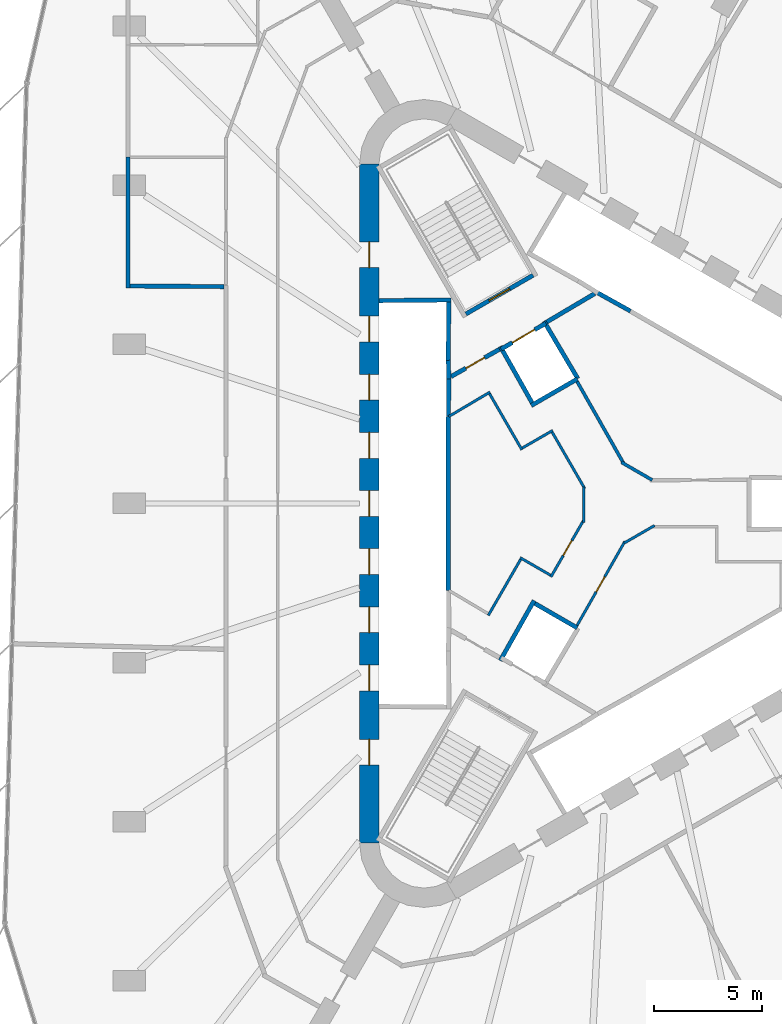
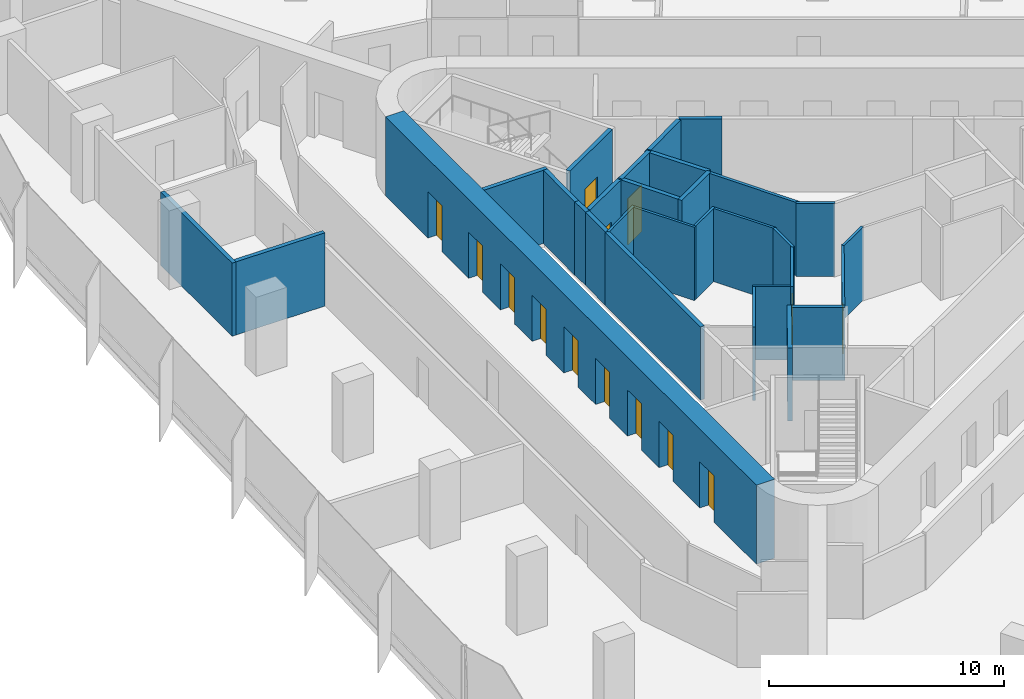
# One storey, part 10 of 14: 30 walls, 14 doors, 14 openings.
"""IFC4 building model written with IfcOpenShell, lengths in metres."""

import ifcopenshell
import ifcopenshell.guid

model = None  # the IFC model being written
_history = None  # IfcOwnerHistory: only IFC2X3 demands one
_inside = {}  # id of a spatial element -> (the spatial element, [elements in it])
_under = {}  # id of a project, library or spatial element -> (it, [spatial elements below it])
_declared = {}  # id of a project -> (the project, [libraries it declares])
_typed = {}  # id of a type object -> (the type object, [elements of that type])
_made_of = {}  # id of a material, layer set ... -> (it, [elements and type objects made of it])


def new_model(schema):
    """Start an empty IFC model of exactly this schema.

    Asked for "IFC4X3", IfcOpenShell would pick the latest addendum, in which some entities
    have other attributes; the version numbers below select the first issue.
    IFC2X3 requires an IfcOwnerHistory on every rooted entity: one is made here for all.
    """
    global model, _history
    if schema == "IFC4X3":
        model = ifcopenshell.file(schema_version=(4, 3, 0, 0))
    else:
        model = ifcopenshell.file(schema=schema)
    _inside.clear()
    _under.clear()
    _declared.clear()
    _typed.clear()
    _made_of.clear()
    _history = None
    if model.schema == "IFC2X3":
        org = make("IfcOrganization", Name="unknown")
        user = make(
            "IfcPersonAndOrganization",
            ThePerson=make("IfcPerson", FamilyName="unknown"),
            TheOrganization=org,
        )
        app = make(
            "IfcApplication",
            ApplicationDeveloper=org,
            Version="unknown",
            ApplicationFullName="unknown",
            ApplicationIdentifier="unknown",
        )
        _history = make(
            "IfcOwnerHistory",
            OwningUser=user,
            OwningApplication=app,
            ChangeAction="ADDED",
            CreationDate=0,
        )
    return model


def make(cls, **values):
    """One entity of the class cls with the attributes given. An attribute that is None is left unset."""
    return model.create_entity(
        cls, **{name: value for name, value in values.items() if value is not None}
    )


def rooted(cls, **values):
    """An entity with a GlobalId (a new one), such as an element, a storey or a relation."""
    return make(cls, GlobalId=ifcopenshell.guid.new(), OwnerHistory=_history, **values)


def si_unit(unit_type, name, prefix=None):
    """IfcSIUnit, for example si_unit("LENGTHUNIT", "METRE", prefix="MILLI")."""
    return make("IfcSIUnit", UnitType=unit_type, Prefix=prefix, Name=name)


def assignment(units):
    """IfcUnitAssignment: the units of a project."""
    return None if units is None else make("IfcUnitAssignment", Units=units)


def point(xyz):
    """IfcCartesianPoint."""
    return None if xyz is None else make("IfcCartesianPoint", Coordinates=xyz)


def direction(xyz):
    """IfcDirection."""
    return None if xyz is None else make("IfcDirection", DirectionRatios=xyz)


def frame(location, z_axis=None, x_axis=None):
    """IfcAxis2Placement3D, a coordinate frame: its origin and axes. An axis left out is left unset."""
    return make(
        "IfcAxis2Placement3D",
        Location=point(location),
        Axis=direction(z_axis),
        RefDirection=direction(x_axis),
    )


def frame_2d(location, x_axis=None):
    """IfcAxis2Placement2D, a coordinate frame in the plane: its origin and x axis."""
    return make(
        "IfcAxis2Placement2D", Location=point(location), RefDirection=direction(x_axis)
    )


def origin():
    """The frame at (0, 0, 0) with its axes left unset."""
    return frame((0.0, 0.0, 0.0))


def place(relative_to, where):
    """IfcLocalPlacement: puts the frame where relative to a parent placement (None: the world)."""
    return make(
        "IfcLocalPlacement", PlacementRelTo=relative_to, RelativePlacement=where
    )


def context(
    kind, dimensions, precision=None, world=None, true_north=None, identifier=None
):
    """IfcGeometricRepresentationContext, for example the 3D "Model" context."""
    return make(
        "IfcGeometricRepresentationContext",
        ContextIdentifier=identifier,
        ContextType=kind,
        CoordinateSpaceDimension=dimensions,
        Precision=precision,
        WorldCoordinateSystem=world,
        TrueNorth=true_north,
    )


def subcontext(parent, identifier, kind, view, scale=None):
    """IfcGeometricRepresentationSubContext, for example "Body" below "Model"."""
    return make(
        "IfcGeometricRepresentationSubContext",
        ContextIdentifier=identifier,
        ContextType=kind,
        ParentContext=parent,
        TargetScale=scale,
        TargetView=view,
    )


def project(units=None, contexts=None):
    """IfcProject with its units and contexts."""
    return rooted(
        "IfcProject",
        Name="project",
        RepresentationContexts=contexts,
        UnitsInContext=assignment(units),
    )


def spatial(cls, under=None, at=None, **own):
    """A site, building, storey or space (cls), placed at a placement, below another one or the project."""
    s = rooted(cls, ObjectPlacement=at, **own)
    if under is not None:
        _under.setdefault(under.id(), (under, []))[1].append(s)
    return s


def profile(cls, at=None, kind="AREA", **sizes):
    """A parametric profile (cls). Its sizes go by their IFC names, for example OverallWidth=200.0."""
    return make(cls, ProfileType=kind, Position=at, **sizes)


def rectangle(**sizes):
    """IfcRectangleProfileDef."""
    return profile("IfcRectangleProfileDef", **sizes)


def extrude(swept, where, along, depth):
    """IfcExtrudedAreaSolid: the profile swept, set in the frame where, extruded along a direction by depth."""
    return make(
        "IfcExtrudedAreaSolid",
        SweptArea=swept,
        Position=where,
        ExtrudedDirection=direction(along),
        Depth=depth,
    )


def shape(context_of_items, identifier, shape_type, items):
    """IfcShapeRepresentation: the items that make up one representation, for example the "Body"."""
    return make(
        "IfcShapeRepresentation",
        ContextOfItems=context_of_items,
        RepresentationIdentifier=identifier,
        RepresentationType=shape_type,
        Items=items,
    )


def material(Name=None, Category=None):
    """IfcMaterial."""
    return make("IfcMaterial", Name=Name, Category=Category)


def layer(
    of_material, thickness, ventilated=None, Name=None, Category=None, Priority=None
):
    """IfcMaterialLayer: one layer of a wall or slab, of a material (None: an air gap)."""
    return make(
        "IfcMaterialLayer",
        Material=of_material,
        LayerThickness=thickness,
        IsVentilated=ventilated,
        Name=Name,
        Category=Category,
        Priority=Priority,
    )


def layer_set(layers, Name=None):
    """IfcMaterialLayerSet."""
    return make("IfcMaterialLayerSet", MaterialLayers=layers, LayerSetName=Name)


def made_of(thing, what):
    """Note that an element or type object is made of a material, layer set ...; save() writes the relation."""
    if what is not None:
        _made_of.setdefault(what.id(), (what, []))[1].append(thing)
    return thing


def type_object(cls, material=None, **own):
    """A type object (cls), such as IfcWallType, which elements share."""
    return made_of(rooted(cls, **own), material)


def element(
    cls,
    number,
    at=None,
    inside=None,
    cuts=None,
    type_object=None,
    material=None,
    context=None,
    identifier="Body",
    shape_type=None,
    held_by="IfcProductDefinitionShape",
    body=None,
    shapes=None,
    **own,
):
    """One element of the class cls, such as IfcWall. Its Tag is "e" and its number.

    at: its placement. inside: the storey or other place that contains it. cuts: it is an
    opening in that element (IfcRelVoidsElement). A single representation is given by context,
    identifier, shape_type and body (its items); several are given by shapes. held_by: the class
    of the entity that holds the representations. save() writes the other relations.
    """
    e = rooted(cls, Tag="e%d" % number, ObjectPlacement=at, **own)
    if body is not None:
        shapes = [shape(context, identifier, shape_type, body)]
    if shapes is not None:
        e.Representation = make(held_by, Representations=shapes)
    if inside is not None:
        _inside.setdefault(inside.id(), (inside, []))[1].append(e)
    if cuts is not None:
        rooted(
            "IfcRelVoidsElement", RelatingBuildingElement=cuts, RelatedOpeningElement=e
        )
    if type_object is not None:
        _typed.setdefault(type_object.id(), (type_object, []))[1].append(e)
    return made_of(e, material)


def fill(opening, filler):
    """IfcRelFillsElement: the door or window that sits in an opening."""
    return rooted(
        "IfcRelFillsElement",
        RelatingOpeningElement=opening,
        RelatedBuildingElement=filler,
    )


def aggregate(whole, parts):
    """IfcRelAggregates: a whole, such as a stair, and the parts it consists of."""
    return rooted("IfcRelAggregates", RelatingObject=whole, RelatedObjects=parts)


def save(model, path):
    """Write the relations noted so far, then the file.

    IfcRelAggregates (storeys below a building ...), IfcRelContainedInSpatialStructure (elements
    in a storey), IfcRelDefinesByType, IfcRelAssociatesMaterial and IfcRelDeclares: one each for
    every whole, place, type object, material and project.
    """
    for whole, parts in _under.values():
        aggregate(whole, parts)
    for where, things in _inside.values():
        rooted(
            "IfcRelContainedInSpatialStructure",
            RelatedElements=things,
            RelatingStructure=where,
        )
    for kind, things in _typed.values():
        rooted("IfcRelDefinesByType", RelatedObjects=things, RelatingType=kind)
    for what, things in _made_of.values():
        rooted("IfcRelAssociatesMaterial", RelatedObjects=things, RelatingMaterial=what)
    for by, libraries in _declared.values():
        rooted("IfcRelDeclares", RelatingContext=by, RelatedDefinitions=libraries)
    model.write(path)


model = new_model("IFC4")

# Units and contexts
model_context = context("Model", 3, precision=1e-05, world=origin(), true_north=direction((0.0, 1.0)))
body_context = subcontext(model_context, "Body", "Model", "MODEL_VIEW")
ifc_project = project(units=[si_unit("LENGTHUNIT", "METRE"), si_unit("AREAUNIT", "SQUARE_METRE"), si_unit("VOLUMEUNIT", "CUBIC_METRE"), si_unit("PLANEANGLEUNIT", "RADIAN"), si_unit("MASSUNIT", "GRAM", prefix="KILO")], contexts=[model_context])

# Site, building, storey
site_placement = place(None, origin())
site = spatial("IfcSite", under=ifc_project, at=site_placement, CompositionType="ELEMENT")
building_placement = place(site_placement, origin())
building = spatial("IfcBuilding", under=site, at=building_placement, Name="Tanit Gate Tower", CompositionType="ELEMENT")
storey_placement = place(building_placement, frame((0.0, 0.0, 123.39990234375)))
storey = spatial("IfcBuildingStorey", under=building, at=storey_placement, Name="L26", CompositionType="ELEMENT", Elevation=123.39990234375)

# Wall, openings, doors
ifc_material_1 = material(Name="Concrete C60/75", Category="concrete")
ifc_layer_1 = layer(ifc_material_1, 0.89990234375)
ifc_layer_set_1 = layer_set([ifc_layer_1], Name="CORE WALL 900 C60/75")
wall_type_1 = type_object("IfcWallType", Name="CORE WALL 900 C60/75", PredefinedType="SHEAR", material=ifc_layer_set_1)
wall_1_placement = place(storey_placement, frame((-11.64990234375, 15.76171875, 0.0), z_axis=(0.0, 0.0, 1.0), x_axis=(0.0, -1.0, 0.0)))
wall_1 = element("IfcWall", 1, at=wall_1_placement, inside=storey, type_object=wall_type_1, Name="CORE WALL", PredefinedType="SHEAR", context=body_context, shape_type="SweptSolid", body=[
    extrude(rectangle(XDim=31.5234375, YDim=0.89990234375, at=frame_2d((15.76171875, 0.0))), origin(), (0.0, 0.0, 1.0), 4.10009765625),
])
opening_1_placement = place(wall_1_placement, frame((7.061767578125, 0.0, 0.0)))
opening_1 = element("IfcOpeningElement", 2, at=opening_1_placement, cuts=wall_1, Name="Opening LDLL1-S06", PredefinedType="OPENING", context=body_context, shape_type="SweptSolid", body=[
    extrude(rectangle(XDim=1.199951171875, YDim=2.39990234375, at=frame_2d((0.60009765625, 1.199951171875))), frame((0.0, 0.4599609375, 0.0), z_axis=(0.0, -1.0, 0.0), x_axis=(1.0, 0.0, 0.0)), (0.0, 0.0, 1.0), 0.919921875),
])
opening_2_placement = place(wall_1_placement, frame((9.76171875, 0.0, 0.0)))
opening_2 = element("IfcOpeningElement", 3, at=opening_2_placement, cuts=wall_1, Name="Opening LDLL2-S06", PredefinedType="OPENING", context=body_context, shape_type="SweptSolid", body=[
    extrude(rectangle(XDim=1.199951171875, YDim=2.39990234375, at=frame_2d((0.60009765625, 1.199951171875))), frame((0.0, 0.4599609375, 0.0), z_axis=(0.0, -1.0, 0.0), x_axis=(1.0, 0.0, 0.0)), (0.0, 0.0, 1.0), 0.919921875),
])
opening_3_placement = place(wall_1_placement, frame((12.461669921875, 0.0, 0.0)))
opening_3 = element("IfcOpeningElement", 4, at=opening_3_placement, cuts=wall_1, Name="Opening LDLL3-S06", PredefinedType="OPENING", context=body_context, shape_type="SweptSolid", body=[
    extrude(rectangle(XDim=1.199951171875, YDim=2.39990234375, at=frame_2d((0.60009765625, 1.199951171875))), frame((0.0, 0.4599609375, 0.0), z_axis=(0.0, -1.0, 0.0), x_axis=(1.0, 0.0, 0.0)), (0.0, 0.0, 1.0), 0.919921875),
])
opening_4_placement = place(wall_1_placement, frame((15.16162109375, 0.0, 0.0)))
opening_4 = element("IfcOpeningElement", 5, at=opening_4_placement, cuts=wall_1, Name="Opening LDLL4-S06", PredefinedType="OPENING", context=body_context, shape_type="SweptSolid", body=[
    extrude(rectangle(XDim=1.199951171875, YDim=2.39990234375, at=frame_2d((0.60009765625, 1.199951171875))), frame((0.0, 0.4599609375, 0.0), z_axis=(0.0, -1.0, 0.0), x_axis=(1.0, 0.0, 0.0)), (0.0, 0.0, 1.0), 0.919921875),
])
opening_5_placement = place(wall_1_placement, frame((17.86181640625, 0.0, 0.0)))
opening_5 = element("IfcOpeningElement", 6, at=opening_5_placement, cuts=wall_1, Name="Opening LDLL5-S06", PredefinedType="OPENING", context=body_context, shape_type="SweptSolid", body=[
    extrude(rectangle(XDim=1.199951171875, YDim=2.39990234375, at=frame_2d((0.60009765625, 1.199951171875))), frame((0.0, 0.4599609375, 0.0), z_axis=(0.0, -1.0, 0.0), x_axis=(1.0, 0.0, 0.0)), (0.0, 0.0, 1.0), 0.919921875),
])
opening_6_placement = place(wall_1_placement, frame((20.561767578125, 0.0, 0.0)))
opening_6 = element("IfcOpeningElement", 7, at=opening_6_placement, cuts=wall_1, Name="Opening LDLL6-S06", PredefinedType="OPENING", context=body_context, shape_type="SweptSolid", body=[
    extrude(rectangle(XDim=1.199951171875, YDim=2.39990234375, at=frame_2d((0.60009765625, 1.199951171875))), frame((0.0, 0.4599609375, 0.0), z_axis=(0.0, -1.0, 0.0), x_axis=(1.0, 0.0, 0.0)), (0.0, 0.0, 1.0), 0.919921875),
])
opening_7_placement = place(wall_1_placement, frame((23.26171875, 0.0, 0.0)))
opening_7 = element("IfcOpeningElement", 8, at=opening_7_placement, cuts=wall_1, Name="Opening LDLL7-S06", PredefinedType="OPENING", context=body_context, shape_type="SweptSolid", body=[
    extrude(rectangle(XDim=1.199951171875, YDim=2.39990234375, at=frame_2d((0.60009765625, 1.199951171875))), frame((0.0, 0.4599609375, 0.0), z_axis=(0.0, -1.0, 0.0), x_axis=(1.0, 0.0, 0.0)), (0.0, 0.0, 1.0), 0.919921875),
])
opening_8_placement = place(wall_1_placement, frame((3.61181640625, 0.0, 0.0)))
opening_8 = element("IfcOpeningElement", 9, at=opening_8_placement, cuts=wall_1, Name="Opening F12-S06-FL2", PredefinedType="OPENING", context=body_context, shape_type="SweptSolid", body=[
    extrude(rectangle(XDim=1.199951171875, YDim=2.39990234375, at=frame_2d((0.60009765625, 1.199951171875))), frame((0.0, 0.4599609375, 0.0), z_axis=(0.0, -1.0, 0.0), x_axis=(1.0, 0.0, 0.0)), (0.0, 0.0, 1.0), 0.919921875),
])
opening_9_placement = place(wall_1_placement, frame((26.711669921875, 0.0, 0.0)))
opening_9 = element("IfcOpeningElement", 10, at=opening_9_placement, cuts=wall_1, Name="Opening F12-S06-S3", PredefinedType="OPENING", context=body_context, shape_type="SweptSolid", body=[
    extrude(rectangle(XDim=1.199951171875, YDim=2.39990234375, at=frame_2d((0.60009765625, 1.199951171875))), frame((0.0, 0.4599609375, 0.0), z_axis=(0.0, -1.0, 0.0), x_axis=(1.0, 0.0, 0.0)), (0.0, 0.0, 1.0), 0.919921875),
])
ifc_material_2 = material(Name="Fire-rated steel door leaf", Category="steel")
door_type_1 = type_object("IfcDoorType", Name="INT-DOOR-FIRE-LOBBY-1200", OperationType="NOTDEFINED", PredefinedType="USERDEFINED", material=ifc_material_2)
door_1_placement = place(opening_8_placement, origin())
door_1 = element("IfcDoor", 11, at=door_1_placement, inside=storey, type_object=door_type_1, Name="Door F12-S06-FL2", ObjectType="FIRE DOOR", OperationType="SINGLE_SWING_LEFT", OverallHeight=2.39990234375, OverallWidth=1.199951171875, PredefinedType="USERDEFINED", context=body_context, shape_type="SweptSolid", body=[
    extrude(rectangle(XDim=1.199951171875, YDim=2.39990234375, at=frame_2d((0.60009765625, 1.199951171875))), frame((0.0, 0.02490234375, 0.0), z_axis=(0.0, -1.0, 0.0), x_axis=(1.0, 0.0, 0.0)), (0.0, 0.0, 1.0), 0.050048828125),
])
fill(opening_8, door_1)
door_2_placement = place(opening_9_placement, origin())
door_2 = element("IfcDoor", 12, at=door_2_placement, inside=storey, type_object=door_type_1, Name="Door F12-S06-S3", ObjectType="FIRE DOOR", OperationType="SINGLE_SWING_RIGHT", OverallHeight=2.39990234375, OverallWidth=1.199951171875, PredefinedType="USERDEFINED", context=body_context, shape_type="SweptSolid", body=[
    extrude(rectangle(XDim=1.199951171875, YDim=2.39990234375, at=frame_2d((0.60009765625, 1.199951171875))), frame((0.0, 0.02490234375, 0.0), z_axis=(0.0, -1.0, 0.0), x_axis=(1.0, 0.0, 0.0)), (0.0, 0.0, 1.0), 0.050048828125),
])
fill(opening_9, door_2)
ifc_material_3 = material(Name="Stainless steel sliding door leaf", Category="steel")
door_type_2 = type_object("IfcDoorType", Name="INT-DOOR-LANDING-1200", OperationType="NOTDEFINED", PredefinedType="USERDEFINED", material=ifc_material_3)
door_3_placement = place(opening_1_placement, origin())
door_3 = element("IfcDoor", 13, at=door_3_placement, inside=storey, type_object=door_type_2, Name="Door LDLL1-S06", ObjectType="LANDING DOOR", OperationType="SLIDING_TO_LEFT", OverallHeight=2.39990234375, OverallWidth=1.199951171875, PredefinedType="USERDEFINED", context=body_context, shape_type="SweptSolid", body=[
    extrude(rectangle(XDim=1.199951171875, YDim=2.39990234375, at=frame_2d((0.60009765625, 1.199951171875))), frame((0.0, 0.02490234375, 0.0), z_axis=(0.0, -1.0, 0.0), x_axis=(1.0, 0.0, 0.0)), (0.0, 0.0, 1.0), 0.050048828125),
])
fill(opening_1, door_3)
door_4_placement = place(opening_2_placement, origin())
door_4 = element("IfcDoor", 14, at=door_4_placement, inside=storey, type_object=door_type_2, Name="Door LDLL2-S06", ObjectType="LANDING DOOR", OperationType="SLIDING_TO_LEFT", OverallHeight=2.39990234375, OverallWidth=1.199951171875, PredefinedType="USERDEFINED", context=body_context, shape_type="SweptSolid", body=[
    extrude(rectangle(XDim=1.199951171875, YDim=2.39990234375, at=frame_2d((0.60009765625, 1.199951171875))), frame((0.0, 0.02490234375, 0.0), z_axis=(0.0, -1.0, 0.0), x_axis=(1.0, 0.0, 0.0)), (0.0, 0.0, 1.0), 0.050048828125),
])
fill(opening_2, door_4)
door_5_placement = place(opening_3_placement, origin())
door_5 = element("IfcDoor", 15, at=door_5_placement, inside=storey, type_object=door_type_2, Name="Door LDLL3-S06", ObjectType="LANDING DOOR", OperationType="SLIDING_TO_LEFT", OverallHeight=2.39990234375, OverallWidth=1.199951171875, PredefinedType="USERDEFINED", context=body_context, shape_type="SweptSolid", body=[
    extrude(rectangle(XDim=1.199951171875, YDim=2.39990234375, at=frame_2d((0.60009765625, 1.199951171875))), frame((0.0, 0.02490234375, 0.0), z_axis=(0.0, -1.0, 0.0), x_axis=(1.0, 0.0, 0.0)), (0.0, 0.0, 1.0), 0.050048828125),
])
fill(opening_3, door_5)
door_6_placement = place(opening_4_placement, origin())
door_6 = element("IfcDoor", 16, at=door_6_placement, inside=storey, type_object=door_type_2, Name="Door LDLL4-S06", ObjectType="LANDING DOOR", OperationType="SLIDING_TO_LEFT", OverallHeight=2.39990234375, OverallWidth=1.199951171875, PredefinedType="USERDEFINED", context=body_context, shape_type="SweptSolid", body=[
    extrude(rectangle(XDim=1.199951171875, YDim=2.39990234375, at=frame_2d((0.60009765625, 1.199951171875))), frame((0.0, 0.02490234375, 0.0), z_axis=(0.0, -1.0, 0.0), x_axis=(1.0, 0.0, 0.0)), (0.0, 0.0, 1.0), 0.050048828125),
])
fill(opening_4, door_6)
door_7_placement = place(opening_5_placement, origin())
door_7 = element("IfcDoor", 17, at=door_7_placement, inside=storey, type_object=door_type_2, Name="Door LDLL5-S06", ObjectType="LANDING DOOR", OperationType="SLIDING_TO_LEFT", OverallHeight=2.39990234375, OverallWidth=1.199951171875, PredefinedType="USERDEFINED", context=body_context, shape_type="SweptSolid", body=[
    extrude(rectangle(XDim=1.199951171875, YDim=2.39990234375, at=frame_2d((0.60009765625, 1.199951171875))), frame((0.0, 0.02490234375, 0.0), z_axis=(0.0, -1.0, 0.0), x_axis=(1.0, 0.0, 0.0)), (0.0, 0.0, 1.0), 0.050048828125),
])
fill(opening_5, door_7)
door_8_placement = place(opening_6_placement, origin())
door_8 = element("IfcDoor", 18, at=door_8_placement, inside=storey, type_object=door_type_2, Name="Door LDLL6-S06", ObjectType="LANDING DOOR", OperationType="SLIDING_TO_LEFT", OverallHeight=2.39990234375, OverallWidth=1.199951171875, PredefinedType="USERDEFINED", context=body_context, shape_type="SweptSolid", body=[
    extrude(rectangle(XDim=1.199951171875, YDim=2.39990234375, at=frame_2d((0.60009765625, 1.199951171875))), frame((0.0, 0.02490234375, 0.0), z_axis=(0.0, -1.0, 0.0), x_axis=(1.0, 0.0, 0.0)), (0.0, 0.0, 1.0), 0.050048828125),
])
fill(opening_6, door_8)
door_9_placement = place(opening_7_placement, origin())
door_9 = element("IfcDoor", 19, at=door_9_placement, inside=storey, type_object=door_type_2, Name="Door LDLL7-S06", ObjectType="LANDING DOOR", OperationType="SLIDING_TO_LEFT", OverallHeight=2.39990234375, OverallWidth=1.199951171875, PredefinedType="USERDEFINED", context=body_context, shape_type="SweptSolid", body=[
    extrude(rectangle(XDim=1.199951171875, YDim=2.39990234375, at=frame_2d((0.60009765625, 1.199951171875))), frame((0.0, 0.02490234375, 0.0), z_axis=(0.0, -1.0, 0.0), x_axis=(1.0, 0.0, 0.0)), (0.0, 0.0, 1.0), 0.050048828125),
])
fill(opening_7, door_9)

# Wall
ifc_material_4 = material(Name="Fire-rated gypsum board partition")
ifc_layer_2 = layer(ifc_material_4, 0.199951171875)
ifc_layer_set_2 = layer_set([ifc_layer_2], Name="INT-WALL-COMPARTMENT")
wall_type_2 = type_object("IfcWallType", Name="INT-WALL-COMPARTMENT", PredefinedType="PARTITIONING", material=ifc_layer_set_2)
wall_2_placement = place(storey_placement, frame((-1.1796875, 9.744384765625, 0.0), z_axis=(0.0, 0.0, 1.0), x_axis=(-0.860615607571, -0.509255118781, 0.0)))
element("IfcWall", 20, at=wall_2_placement, inside=storey, type_object=wall_type_2, Name="Wall Compartment W061", PredefinedType="PARTITIONING", context=body_context, shape_type="SweptSolid", body=[
    extrude(rectangle(XDim=2.58056640625, YDim=0.199951171875, at=frame_2d((1.290283203125, 0.0))), origin(), (0.0, 0.0, 1.0), 3.800048828125),
])

# Wall, opening, door
wall_3_placement = place(storey_placement, frame((-5.600341796875, 7.16015625, 0.0), z_axis=(0.0, 0.0, 1.0), x_axis=(-0.871363259478, -0.490638431059, 0.0)))
wall_3 = element("IfcWall", 21, at=wall_3_placement, inside=storey, type_object=wall_type_2, Name="Wall Compartment W062", PredefinedType="PARTITIONING", context=body_context, shape_type="SweptSolid", body=[
    extrude(rectangle(XDim=2.5810546875, YDim=0.199951171875, at=frame_2d((1.29052734375, 0.0))), origin(), (0.0, 0.0, 1.0), 3.800048828125),
])
opening_10_placement = place(wall_3_placement, frame((0.79052734375, 0.0, 0.0)))
opening_10 = element("IfcOpeningElement", 22, at=opening_10_placement, cuts=wall_3, Name="Opening F10-S06-05", PredefinedType="OPENING", context=body_context, shape_type="SweptSolid", body=[
    extrude(rectangle(XDim=1.0, YDim=2.10009765625, at=frame_2d((0.5, 1.050048828125))), frame((0.0, 0.10986328125, 0.0), z_axis=(0.0, -1.0, 0.0), x_axis=(1.0, 0.0, 0.0)), (0.0, 0.0, 1.0), 0.219970703125),
])
ifc_material_5 = material(Name="Fire-rated steel door leaf", Category="steel")
door_type_3 = type_object("IfcDoorType", Name="INT-DOOR-FIRE-1000", OperationType="NOTDEFINED", PredefinedType="USERDEFINED", material=ifc_material_5)
door_10_placement = place(opening_10_placement, origin())
door_10 = element("IfcDoor", 23, at=door_10_placement, inside=storey, type_object=door_type_3, Name="Door F10-S06-05", ObjectType="FIRE DOOR", OperationType="SINGLE_SWING_RIGHT", OverallHeight=2.10009765625, OverallWidth=1.0, PredefinedType="USERDEFINED", context=body_context, shape_type="SweptSolid", body=[
    extrude(rectangle(XDim=1.0, YDim=2.10009765625, at=frame_2d((0.5, 1.050048828125))), frame((0.0, 0.02490234375, 0.0), z_axis=(0.0, -1.0, 0.0), x_axis=(1.0, 0.0, 0.0)), (0.0, 0.0, 1.0), 0.050048828125),
])
fill(opening_10, door_10)

# Walls
wall_4_placement = place(storey_placement, frame((-22.85009765625, 10.0, 0.0), z_axis=(0.0, 0.0, 1.0), x_axis=(0.0, 1.0, 0.0)))
element("IfcWall", 24, at=wall_4_placement, inside=storey, type_object=wall_type_2, Name="Wall Compartment W118", PredefinedType="PARTITIONING", context=body_context, shape_type="SweptSolid", body=[
    extrude(rectangle(XDim=6.083740234375, YDim=0.199951171875, at=frame_2d((3.0419921875, 0.0))), origin(), (0.0, 0.0, 1.0), 3.800048828125),
])
wall_5_placement = place(storey_placement, frame((-22.75, 10.099365234375, 0.0), z_axis=(0.0, 0.0, 1.0), x_axis=(0.999978071859, -0.006622371337, 0.0)))
element("IfcWall", 25, at=wall_5_placement, inside=storey, type_object=wall_type_2, Name="Wall Compartment W119", PredefinedType="PARTITIONING", context=body_context, shape_type="SweptSolid", body=[
    extrude(rectangle(XDim=4.35009765625, YDim=0.199951171875, at=frame_2d((2.175048828125, 0.0))), origin(), (0.0, 0.0, 1.0), 3.800048828125),
])

# Wall, opening, door
ifc_material_6 = material(Name="Gypsum board partition")
ifc_layer_3 = layer(ifc_material_6, 0.1201171875)
ifc_layer_set_3 = layer_set([ifc_layer_3], Name="INT-WALL-PARTITION")
wall_type_3 = type_object("IfcWallType", Name="INT-WALL-PARTITION", PredefinedType="PARTITIONING", material=ifc_layer_set_3)
wall_6_placement = place(storey_placement, frame((0.223876953125, -1.760986328125, 0.0), z_axis=(0.0, 0.0, 1.0), x_axis=(-0.494327216836, -0.869275907118, 0.0)))
wall_6 = element("IfcWall", 26, at=wall_6_placement, inside=storey, type_object=wall_type_3, Name="Wall Partition W068", PredefinedType="PARTITIONING", context=body_context, shape_type="SweptSolid", body=[
    extrude(rectangle(XDim=4.487060546875, YDim=0.1201171875, at=frame_2d((2.24365234375, 0.0))), origin(), (0.0, 0.0, 1.0), 3.800048828125),
])
opening_11_placement = place(wall_6_placement, frame((1.89453125, 0.0, 0.0)))
opening_11 = element("IfcOpeningElement", 27, at=opening_11_placement, cuts=wall_6, Name="Opening R08-S06-11", PredefinedType="OPENING", context=body_context, shape_type="SweptSolid", body=[
    extrude(rectangle(XDim=0.800048828125, YDim=2.10009765625, at=frame_2d((0.39990234375, 1.050048828125))), frame((0.0, 0.070068359375, 0.0), z_axis=(0.0, -1.0, 0.0), x_axis=(1.0, 0.0, 0.0)), (0.0, 0.0, 1.0), 0.14013671875),
])
ifc_material_7 = material(Name="Timber door leaf", Category="wood")
door_type_4 = type_object("IfcDoorType", Name="INT-DOOR-RISER-800", OperationType="NOTDEFINED", PredefinedType="USERDEFINED", material=ifc_material_7)
door_11_placement = place(opening_11_placement, origin())
door_11 = element("IfcDoor", 28, at=door_11_placement, inside=storey, type_object=door_type_4, Name="Door R08-S06-11", ObjectType="FIRE DOOR", OperationType="SINGLE_SWING_LEFT", OverallHeight=2.10009765625, OverallWidth=0.800048828125, PredefinedType="USERDEFINED", context=body_context, shape_type="SweptSolid", body=[
    extrude(rectangle(XDim=0.800048828125, YDim=2.10009765625, at=frame_2d((0.39990234375, 1.050048828125))), frame((0.0, 0.02490234375, 0.0), z_axis=(0.0, -1.0, 0.0), x_axis=(1.0, 0.0, 0.0)), (0.0, 0.0, 1.0), 0.050048828125),
])
fill(opening_11, door_11)

# Walls
wall_7_placement = place(storey_placement, frame((1.60546875, -1.02294921875, 0.0), z_axis=(0.0, 0.0, 1.0), x_axis=(-0.866001581989, -0.50004125829, 0.0)))
element("IfcWall", 29, at=wall_7_placement, inside=storey, type_object=wall_type_3, Name="Wall Partition W069", PredefinedType="PARTITIONING", context=body_context, shape_type="SweptSolid", body=[
    extrude(rectangle(XDim=1.635009765625, YDim=0.1201171875, at=frame_2d((0.8173828125, 0.0))), origin(), (0.0, 0.0, 1.0), 3.800048828125),
])
wall_8_placement = place(storey_placement, frame((-6.03662109375, 5.17578125, 0.0), z_axis=(0.0, 0.0, 1.0), x_axis=(-0.860106072674, -0.510115225953, 0.0)))
element("IfcWall", 30, at=wall_8_placement, inside=storey, type_object=wall_type_3, Name="Wall Partition W074", PredefinedType="PARTITIONING", context=body_context, shape_type="SweptSolid", body=[
    extrude(rectangle(XDim=2.224609375, YDim=0.1201171875, at=frame_2d((1.1123046875, 0.0))), origin(), (0.0, 0.0, 1.0), 3.800048828125),
])
wall_9_placement = place(storey_placement, frame((-4.558349609375, 2.4951171875, 0.0), z_axis=(0.0, 0.0, 1.0), x_axis=(-0.499990139034, 0.866031096941, 0.0)))
element("IfcWall", 31, at=wall_9_placement, inside=storey, type_object=wall_type_3, Name="Wall Partition W075", PredefinedType="PARTITIONING", context=body_context, shape_type="SweptSolid", body=[
    extrude(rectangle(XDim=3.0, YDim=0.1201171875, at=frame_2d((1.5, 0.0))), origin(), (0.0, 0.0, 1.0), 3.800048828125),
])
wall_10_placement = place(storey_placement, frame((-3.12890625, 3.3896484375, 0.0), z_axis=(0.0, 0.0, 1.0), x_axis=(-0.866053003207, -0.499952193351, 0.0)))
element("IfcWall", 32, at=wall_10_placement, inside=storey, type_object=wall_type_3, Name="Wall Partition W076", PredefinedType="PARTITIONING", context=body_context, shape_type="SweptSolid", body=[
    extrude(rectangle(XDim=1.625244140625, YDim=0.1201171875, at=frame_2d((0.8125, 0.0))), origin(), (0.0, 0.0, 1.0), 3.800048828125),
])
wall_11_placement = place(storey_placement, frame((-1.63671875, 0.68505859375, 0.0), z_axis=(0.0, 0.0, 1.0), x_axis=(-0.500006252586, 0.866021793822, 0.0)))
element("IfcWall", 33, at=wall_11_placement, inside=storey, type_object=wall_type_3, Name="Wall Partition W077", PredefinedType="PARTITIONING", context=body_context, shape_type="SweptSolid", body=[
    extrude(rectangle(XDim=3.0283203125, YDim=0.1201171875, at=frame_2d((1.51416015625, 0.0))), origin(), (0.0, 0.0, 1.0), 3.800048828125),
])
wall_12_placement = place(storey_placement, frame((-1.688720703125, -0.87890625, 0.0), z_axis=(0.0, 0.0, 1.0), x_axis=(0.0, 1.0, 0.0)))
element("IfcWall", 34, at=wall_12_placement, inside=storey, type_object=wall_type_3, Name="Wall Partition W078", PredefinedType="PARTITIONING", context=body_context, shape_type="SweptSolid", body=[
    extrude(rectangle(XDim=1.63525390625, YDim=0.1201171875, at=frame_2d((0.817626953125, 0.0))), origin(), (0.0, 0.0, 1.0), 3.800048828125),
])

# Wall, opening, door
wall_13_placement = place(storey_placement, frame((-3.2109375, -3.41162109375, 0.0), z_axis=(0.0, 0.0, 1.0), x_axis=(0.499983190554, 0.866035108505, 0.0)))
wall_13 = element("IfcWall", 35, at=wall_13_placement, inside=storey, type_object=wall_type_3, Name="Wall Partition W079", PredefinedType="PARTITIONING", context=body_context, shape_type="SweptSolid", body=[
    extrude(rectangle(XDim=3.02587890625, YDim=0.1201171875, at=frame_2d((1.512939453125, 0.0))), origin(), (0.0, 0.0, 1.0), 3.800048828125),
])
opening_12_placement = place(wall_13_placement, frame((1.142822265625, 0.0, 0.0)))
opening_12 = element("IfcOpeningElement", 36, at=opening_12_placement, cuts=wall_13, Name="Opening R08-S06-12", PredefinedType="OPENING", context=body_context, shape_type="SweptSolid", body=[
    extrude(rectangle(XDim=0.800048828125, YDim=2.10009765625, at=frame_2d((0.39990234375, 1.050048828125))), frame((0.0, 0.070068359375, 0.0), z_axis=(0.0, -1.0, 0.0), x_axis=(1.0, 0.0, 0.0)), (0.0, 0.0, 1.0), 0.14013671875),
])
door_12_placement = place(opening_12_placement, origin())
door_12 = element("IfcDoor", 37, at=door_12_placement, inside=storey, type_object=door_type_4, Name="Door R08-S06-12", ObjectType="FIRE DOOR", OperationType="SINGLE_SWING_RIGHT", OverallHeight=2.10009765625, OverallWidth=0.800048828125, PredefinedType="USERDEFINED", context=body_context, shape_type="SweptSolid", body=[
    extrude(rectangle(XDim=0.800048828125, YDim=2.10009765625, at=frame_2d((0.39990234375, 1.050048828125))), frame((0.0, 0.02490234375, 0.0), z_axis=(0.0, -1.0, 0.0), x_axis=(1.0, 0.0, 0.0)), (0.0, 0.0, 1.0), 0.050048828125),
])
fill(opening_12, door_12)

# Walls
wall_14_placement = place(storey_placement, frame((-4.64013671875, -2.51708984375, 0.0), z_axis=(0.0, 0.0, 1.0), x_axis=(0.866015446554, -0.500017246033, 0.0)))
element("IfcWall", 38, at=wall_14_placement, inside=storey, type_object=wall_type_3, Name="Wall Partition W080", PredefinedType="PARTITIONING", context=body_context, shape_type="SweptSolid", body=[
    extrude(rectangle(XDim=1.625, YDim=0.1201171875, at=frame_2d((0.8125, 0.0))), origin(), (0.0, 0.0, 1.0), 3.800048828125),
])
wall_15_placement = place(storey_placement, frame((-6.1181640625, -5.197265625, 0.0), z_axis=(0.0, 0.0, 1.0), x_axis=(0.499990139034, 0.866031096941, 0.0)))
element("IfcWall", 39, at=wall_15_placement, inside=storey, type_object=wall_type_3, Name="Wall Partition W081", PredefinedType="PARTITIONING", context=body_context, shape_type="SweptSolid", body=[
    extrude(rectangle(XDim=3.0, YDim=0.1201171875, at=frame_2d((1.5, 0.0))), origin(), (0.0, 0.0, 1.0), 3.800048828125),
])
ifc_material_8 = material(Name="Fire-rated gypsum board partition")
ifc_layer_4 = layer(ifc_material_8, 0.14990234375)
ifc_layer_set_4 = layer_set([ifc_layer_4], Name="INT-WALL-RISER")
wall_type_4 = type_object("IfcWallType", Name="INT-WALL-RISER", PredefinedType="PLUMBINGWALL", material=ifc_layer_set_4)
wall_16_placement = place(storey_placement, frame((0.0625, 1.9140625, 0.0), z_axis=(0.0, 0.0, 1.0), x_axis=(0.866018462269, -0.500012022864, 0.0)))
element("IfcWall", 40, at=wall_16_placement, inside=storey, type_object=wall_type_4, Name="Wall Riser W066", PredefinedType="PLUMBINGWALL", context=body_context, shape_type="SweptSolid", body=[
    extrude(rectangle(XDim=1.654296875, YDim=0.14990234375, at=frame_2d((0.8271484375, 0.0))), origin(), (0.0, 0.0, 1.0), 3.800048828125),
])
wall_17_placement = place(storey_placement, frame((-1.994140625, 5.661376953125, 0.0), z_axis=(0.0, 0.0, 1.0), x_axis=(0.494341211302, -0.869267948798, 0.0)))
element("IfcWall", 41, at=wall_17_placement, inside=storey, type_object=wall_type_4, Name="Wall Riser W067", PredefinedType="PLUMBINGWALL", context=body_context, shape_type="SweptSolid", body=[
    extrude(rectangle(XDim=4.36083984375, YDim=0.14990234375, at=frame_2d((2.180419921875, 0.0))), origin(), (0.0, 0.0, 1.0), 3.800048828125),
])
ifc_material_9 = material(Name="Gypsum shaft wall system")
ifc_layer_5 = layer(ifc_material_9, 0.199951171875)
ifc_layer_set_5 = layer_set([ifc_layer_5], Name="INT-WALL-SHAFT")
wall_type_5 = type_object("IfcWallType", Name="INT-WALL-SHAFT", PredefinedType="PLUMBINGWALL", material=ifc_layer_set_5)
wall_18_placement = place(storey_placement, frame((-11.199951171875, 9.419921875, 0.0), z_axis=(0.0, 0.0, 1.0), x_axis=(0.999957167047, 0.009255488683, 0.0)))
element("IfcWall", 42, at=wall_18_placement, inside=storey, type_object=wall_type_5, Name="Wall Shaft W001", PredefinedType="PLUMBINGWALL", context=body_context, shape_type="SweptSolid", body=[
    extrude(rectangle(XDim=3.35009765625, YDim=0.199951171875, at=frame_2d((1.675048828125, 0.0))), origin(), (0.0, 0.0, 1.0), 3.800048828125),
])
wall_19_placement = place(storey_placement, frame((-7.951171875, 9.35009765625, 0.0), z_axis=(0.0, 0.0, 1.0), x_axis=(-0.011120469654, -0.999938165666, 0.0)))
element("IfcWall", 43, at=wall_19_placement, inside=storey, type_object=wall_type_5, Name="Wall Shaft W002", PredefinedType="PLUMBINGWALL", context=body_context, shape_type="SweptSolid", body=[
    extrude(rectangle(XDim=2.700439453125, YDim=0.199951171875, at=frame_2d((1.35009765625, 0.0))), origin(), (0.0, 0.0, 1.0), 3.800048828125),
])
wall_20_placement = place(storey_placement, frame((-7.97705078125, 6.650146484375, 0.0), z_axis=(0.0, 0.0, 1.0), x_axis=(0.030861509705, -0.999523670164, 0.0)))
element("IfcWall", 44, at=wall_20_placement, inside=storey, type_object=wall_type_5, Name="Wall Shaft W004", PredefinedType="PLUMBINGWALL", context=body_context, shape_type="SweptSolid", body=[
    extrude(rectangle(XDim=0.878173828125, YDim=0.199951171875, at=frame_2d((0.43896484375, 0.0))), origin(), (0.0, 0.0, 1.0), 3.800048828125),
])
wall_21_placement = place(storey_placement, frame((-7.94921875, 5.894775390625, 0.0), z_axis=(0.0, 0.0, 1.0), x_axis=(-0.012042535896, -0.999927486035, 0.0)))
element("IfcWall", 45, at=wall_21_placement, inside=storey, type_object=wall_type_5, Name="Wall Shaft W005", PredefinedType="PLUMBINGWALL", context=body_context, shape_type="SweptSolid", body=[
    extrude(rectangle(XDim=1.844970703125, YDim=0.199951171875, at=frame_2d((0.92236328125, 0.0))), origin(), (0.0, 0.0, 1.0), 3.800048828125),
])
wall_22_placement = place(storey_placement, frame((-7.97998046875, 4.050048828125, 0.0), z_axis=(0.0, 0.0, 1.0), x_axis=(0.0, -1.0, 0.0)))
element("IfcWall", 46, at=wall_22_placement, inside=storey, type_object=wall_type_5, Name="Wall Shaft W006", PredefinedType="PLUMBINGWALL", context=body_context, shape_type="SweptSolid", body=[
    extrude(rectangle(XDim=8.10009765625, YDim=0.199951171875, at=frame_2d((4.050048828125, 0.0))), origin(), (0.0, 0.0, 1.0), 3.800048828125),
])
wall_23_placement = place(storey_placement, frame((0.482666015625, 8.935791015625, 0.0), z_axis=(0.0, 0.0, 1.0), x_axis=(-0.874269620932, 0.485440655401, 0.0)))
element("IfcWall", 47, at=wall_23_placement, inside=storey, type_object=wall_type_5, Name="Wall Shaft W020", PredefinedType="PLUMBINGWALL", context=body_context, shape_type="SweptSolid", body=[
    extrude(rectangle(XDim=1.8447265625, YDim=0.199951171875, at=frame_2d((0.92236328125, 0.0))), origin(), (0.0, 0.0, 1.0), 3.800048828125),
])

# Wall, opening, door
wall_24_placement = place(storey_placement, frame((-5.524169921875, 7.168212890625, 0.0), z_axis=(0.0, 0.0, 1.0), x_axis=(0.866024647952, 0.500001309137, 0.0)))
wall_24 = element("IfcWall", 48, at=wall_24_placement, inside=storey, type_object=wall_type_5, Name="Wall Shaft W045", PredefinedType="PLUMBINGWALL", context=body_context, shape_type="SweptSolid", body=[
    extrude(rectangle(XDim=2.39990234375, YDim=0.199951171875, at=frame_2d((1.199951171875, 0.0))), origin(), (0.0, 0.0, 1.0), 3.800048828125),
])
opening_13_placement = place(wall_24_placement, frame((0.60009765625, 0.0, 0.0)))
opening_13 = element("IfcOpeningElement", 49, at=opening_13_placement, cuts=wall_24, Name="Opening LDFL2-L26", PredefinedType="OPENING", context=body_context, shape_type="SweptSolid", body=[
    extrude(rectangle(XDim=1.199951171875, YDim=2.39990234375, at=frame_2d((0.60009765625, 1.199951171875))), frame((0.0, 0.10986328125, 0.0), z_axis=(0.0, -1.0, 0.0), x_axis=(1.0, 0.0, 0.0)), (0.0, 0.0, 1.0), 0.219970703125),
])
door_13_placement = place(opening_13_placement, origin())
door_13 = element("IfcDoor", 50, at=door_13_placement, inside=storey, type_object=door_type_2, Name="Door LDFL2-L26", ObjectType="LANDING DOOR", OperationType="SLIDING_TO_LEFT", OverallHeight=2.39990234375, OverallWidth=1.199951171875, PredefinedType="USERDEFINED", context=body_context, shape_type="SweptSolid", body=[
    extrude(rectangle(XDim=1.199951171875, YDim=2.39990234375, at=frame_2d((0.60009765625, 1.199951171875))), frame((0.0, 0.02490234375, 0.0), z_axis=(0.0, -1.0, 0.0), x_axis=(1.0, 0.0, 0.0)), (0.0, 0.0, 1.0), 0.050048828125),
])
fill(opening_13, door_13)

# Walls
wall_25_placement = place(storey_placement, frame((-3.53759765625, 8.46533203125, 0.0), z_axis=(0.0, 0.0, 1.0), x_axis=(0.508647062354, -0.860975125052, 0.0)))
element("IfcWall", 51, at=wall_25_placement, inside=storey, type_object=wall_type_5, Name="Wall Shaft W046", PredefinedType="PLUMBINGWALL", context=body_context, shape_type="SweptSolid", body=[
    extrude(rectangle(XDim=3.10009765625, YDim=0.199951171875, at=frame_2d((1.550048828125, 0.0))), origin(), (0.0, 0.0, 1.0), 3.800048828125),
])
wall_26_placement = place(storey_placement, frame((-1.978515625, 5.785888671875, 0.0), z_axis=(0.0, 0.0, 1.0), x_axis=(-0.866016689309, -0.500015093611, 0.0)))
element("IfcWall", 52, at=wall_26_placement, inside=storey, type_object=wall_type_5, Name="Wall Shaft W047", PredefinedType="PLUMBINGWALL", context=body_context, shape_type="SweptSolid", body=[
    extrude(rectangle(XDim=2.4794921875, YDim=0.199951171875, at=frame_2d((1.23974609375, 0.0))), origin(), (0.0, 0.0, 1.0), 3.800048828125),
])
wall_27_placement = place(storey_placement, frame((-5.5625, 7.29638671875, 0.0), z_axis=(0.0, 0.0, 1.0), x_axis=(0.49134651263, -0.870964180966, 0.0)))
element("IfcWall", 53, at=wall_27_placement, inside=storey, type_object=wall_type_5, Name="Wall Shaft W048", PredefinedType="PLUMBINGWALL", context=body_context, shape_type="SweptSolid", body=[
    extrude(rectangle(XDim=3.000244140625, YDim=0.199951171875, at=frame_2d((1.5, 0.0))), origin(), (0.0, 0.0, 1.0), 3.800048828125),
])
wall_28_placement = place(storey_placement, frame((-3.989990234375, -4.509033203125, 0.0), z_axis=(0.0, 0.0, 1.0), x_axis=(-0.491358283181, -0.870957540612, 0.0)))
element("IfcWall", 54, at=wall_28_placement, inside=storey, type_object=wall_type_5, Name="Wall Shaft W055", PredefinedType="PLUMBINGWALL", context=body_context, shape_type="SweptSolid", body=[
    extrude(rectangle(XDim=3.200439453125, YDim=0.199951171875, at=frame_2d((1.60009765625, 0.0))), origin(), (0.0, 0.0, 1.0), 3.800048828125),
])
wall_29_placement = place(storey_placement, frame((-3.95263671875, -4.646240234375, 0.0), z_axis=(0.0, 0.0, 1.0), x_axis=(0.866065302921, -0.4999308863, 0.0)))
element("IfcWall", 55, at=wall_29_placement, inside=storey, type_object=wall_type_5, Name="Wall Shaft W056", PredefinedType="PLUMBINGWALL", context=body_context, shape_type="SweptSolid", body=[
    extrude(rectangle(XDim=2.264404296875, YDim=0.199951171875, at=frame_2d((1.13232421875, 0.0))), origin(), (0.0, 0.0, 1.0), 3.800048828125),
])

# Wall, opening, door
ifc_material_10 = material(Name="Concrete C40/50", Category="concrete")
ifc_layer_6 = layer(ifc_material_10, 0.199951171875)
ifc_layer_set_6 = layer_set([ifc_layer_6], Name="INT-WALL-STAIR")
wall_type_6 = type_object("IfcWallType", Name="INT-WALL-STAIR", PredefinedType="SHEAR", material=ifc_layer_set_6)
wall_30_placement = place(storey_placement, frame((-7.158935546875, 8.799560546875, -0.2998046875), z_axis=(0.0, 0.0, 1.0), x_axis=(0.866047807691, 0.499961193289, 0.0)))
wall_30 = element("IfcWall", 56, at=wall_30_placement, inside=storey, type_object=wall_type_6, Name="Wall Stair W044", PredefinedType="SHEAR", context=body_context, shape_type="SweptSolid", body=[
    extrude(rectangle(XDim=3.599853515625, YDim=0.199951171875, at=frame_2d((1.7998046875, 0.0))), origin(), (0.0, 0.0, 1.0), 4.099853515625),
])
opening_14_placement = place(wall_30_placement, frame((1.25, 0.0, 0.300048828125)))
opening_14 = element("IfcOpeningElement", 57, at=opening_14_placement, cuts=wall_30, Name="Opening S11-S06-04", PredefinedType="OPENING", context=body_context, shape_type="SweptSolid", body=[
    extrude(rectangle(XDim=1.10009765625, YDim=2.10009765625, at=frame_2d((0.550048828125, 1.050048828125))), frame((0.0, 0.10986328125, 0.0), z_axis=(0.0, -1.0, 0.0), x_axis=(1.0, 0.0, 0.0)), (0.0, 0.0, 1.0), 0.219970703125),
])
ifc_material_11 = material(Name="Timber door leaf", Category="wood")
door_type_5 = type_object("IfcDoorType", Name="INT-DOOR-STAIR-1100", OperationType="NOTDEFINED", PredefinedType="USERDEFINED", material=ifc_material_11)
door_14_placement = place(opening_14_placement, origin())
door_14 = element("IfcDoor", 58, at=door_14_placement, inside=storey, type_object=door_type_5, Name="Door S11-S06-04", ObjectType="FIRE DOOR", OperationType="SINGLE_SWING_RIGHT", OverallHeight=2.10009765625, OverallWidth=1.10009765625, PredefinedType="USERDEFINED", context=body_context, shape_type="SweptSolid", body=[
    extrude(rectangle(XDim=1.10009765625, YDim=2.10009765625, at=frame_2d((0.550048828125, 1.050048828125))), frame((0.0, 0.02490234375, 0.0), z_axis=(0.0, -1.0, 0.0), x_axis=(1.0, 0.0, 0.0)), (0.0, 0.0, 1.0), 0.050048828125),
])
fill(opening_14, door_14)

save(model, "model.ifc")
